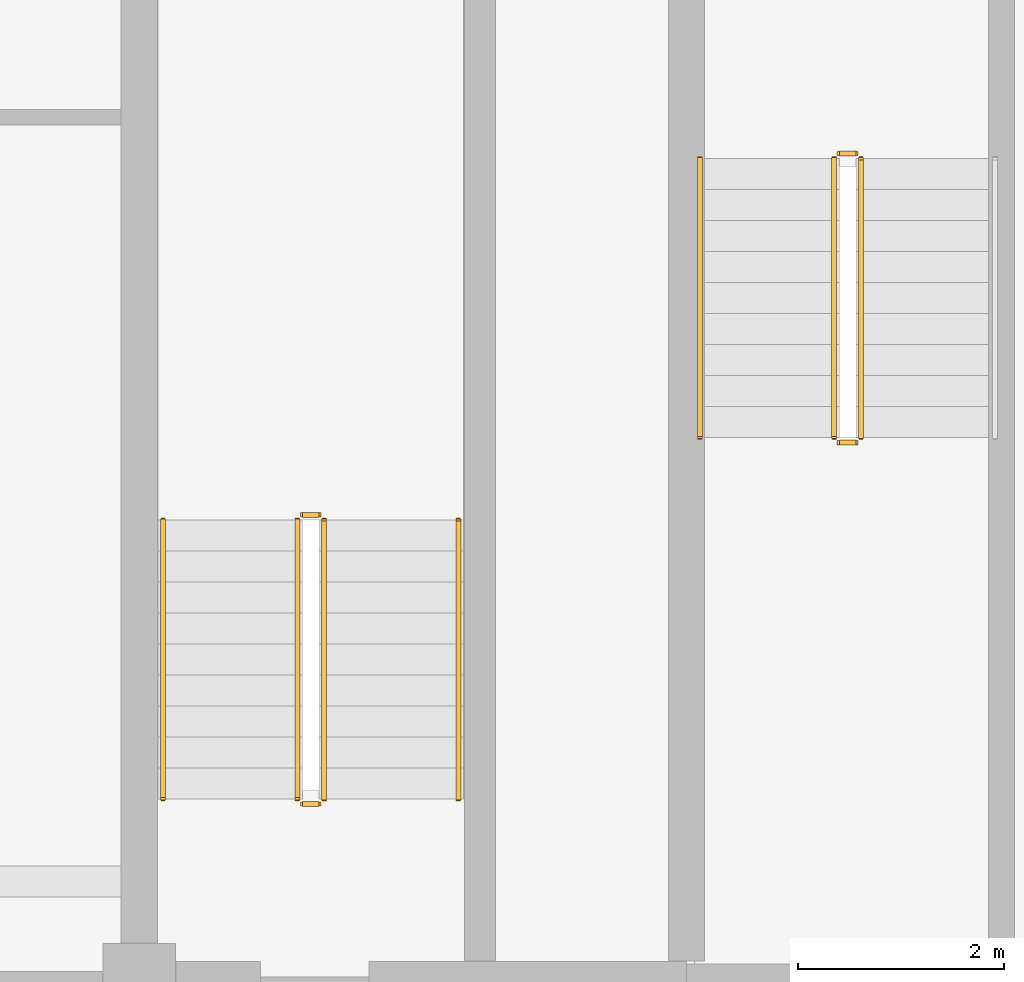
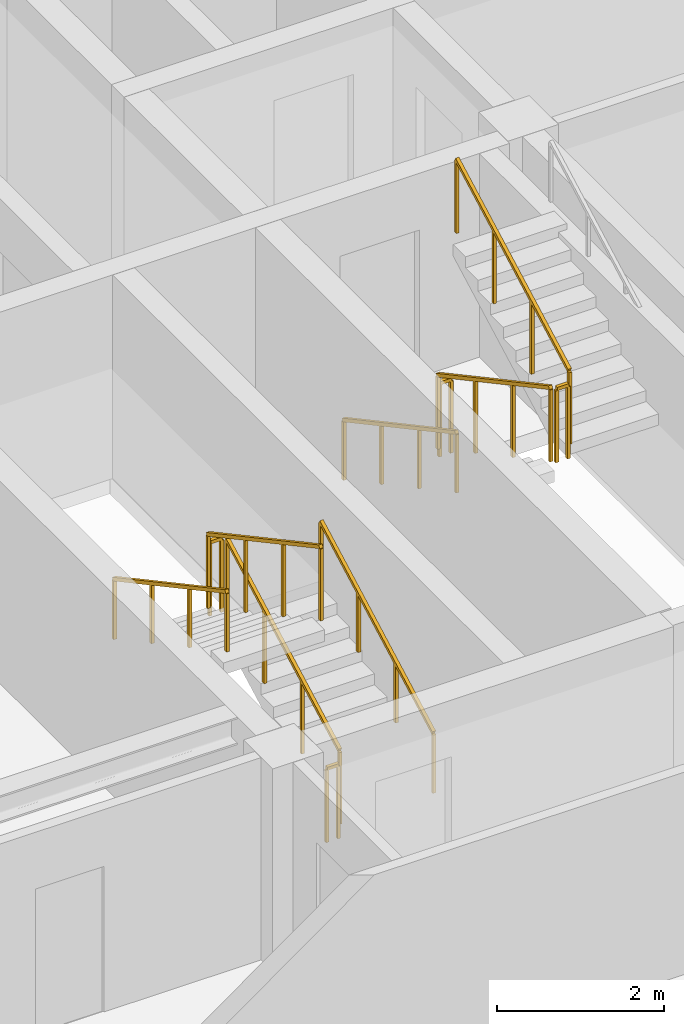
# One storey, part 8 of 11: 11 railings.
"""IFC4 building model written with IfcOpenShell, lengths in metres."""

from ifc_helpers import new_model, si_unit, direction, frame, origin, origin_2d, place, context, subcontext, project, spatial, rectangle, extrude, material, type_object, element, save


model = new_model("IFC4")

# Units and contexts
model_context = context("Model", 3, precision=1e-05, world=origin(), true_north=direction((0.0, 1.0)))
body_context = subcontext(model_context, "Body", "Model", "MODEL_VIEW")
ifc_project = project(units=[si_unit("LENGTHUNIT", "METRE"), si_unit("AREAUNIT", "SQUARE_METRE"), si_unit("VOLUMEUNIT", "CUBIC_METRE"), si_unit("PLANEANGLEUNIT", "RADIAN"), si_unit("MASSUNIT", "GRAM", prefix="KILO")], contexts=[model_context])

# Site, building, storey
site_placement = place(None, origin())
site = spatial("IfcSite", under=ifc_project, at=site_placement, CompositionType="ELEMENT")
building_placement = place(site_placement, origin())
building = spatial("IfcBuilding", under=site, at=building_placement, Name="Zulmaris Gate Convention Tower", CompositionType="ELEMENT")
storey_placement = place(building_placement, frame((0.0, 0.0, 257.659912109375)))
storey = spatial("IfcBuildingStorey", under=building, at=storey_placement, Name="L68", CompositionType="ELEMENT", Elevation=257.659912109375)

# Railings
ifc_material_1 = material(Name="Painted Galvanised Steel", Category="steel")
railing_type_1 = type_object("IfcRailingType", Name="RL-STG-1150", PredefinedType="GUARDRAIL", material=ifc_material_1)
railing_1_placement = place(storey_placement, frame((-13.27001953125, -2.0, 0.161376953125)))
element("IfcRailing", 1, at=railing_1_placement, inside=storey, type_object=railing_type_1, Name="L68 ST-1 stair guard 1", PredefinedType="GUARDRAIL", context=body_context, shape_type="SweptSolid", body=[
    extrude(rectangle(XDim=0.048095703125, YDim=0.048095703125, at=origin_2d()), frame((0.0, 0.0, 1.076171875), z_axis=(0.0, -0.880499220447, 0.474047595492), x_axis=(1.0, 0.0, 0.0)), (0.0, 0.0, 1.0), 3.06640625),
    extrude(rectangle(XDim=0.0419921875, YDim=0.0419921875, at=origin_2d()), origin(), (0.0, 0.0, 1.0), 1.052001953125),
    extrude(rectangle(XDim=0.0419921875, YDim=0.0419921875, at=origin_2d()), frame((0.0, -0.89990234375, 0.484619140625)), (0.0, 0.0, 1.0), 1.052001953125),
    extrude(rectangle(XDim=0.0419921875, YDim=0.0419921875, at=origin_2d()), frame((0.0, -1.800048828125, 0.968994140625)), (0.0, 0.0, 1.0), 1.052001953125),
    extrude(rectangle(XDim=0.0419921875, YDim=0.0419921875, at=origin_2d()), frame((0.0, -2.699951171875, 1.45361328125)), (0.0, 0.0, 1.0), 1.052001953125),
])
railing_2_placement = place(storey_placement, frame((-13.219970703125, -4.75, 1.614990234375)))
element("IfcRailing", 2, at=railing_2_placement, inside=storey, type_object=railing_type_1, Name="L68 ST-1 stair guard 2", PredefinedType="GUARDRAIL", context=body_context, shape_type="SweptSolid", body=[
    extrude(rectangle(XDim=0.048095703125, YDim=0.048095703125, at=origin_2d()), frame((0.0, 0.0, 1.076171875), z_axis=(1.0, 0.0, 0.0), x_axis=(0.0, 1.0, 0.0)), (0.0, 0.0, 1.0), 0.159912109375),
    extrude(rectangle(XDim=0.0419921875, YDim=0.0419921875, at=origin_2d()), origin(), (0.0, 0.0, 1.0), 1.052001953125),
    extrude(rectangle(XDim=0.0419921875, YDim=0.0419921875, at=origin_2d()), frame((0.159912109375, 0.0, 0.0)), (0.0, 0.0, 1.0), 1.052001953125),
])
railing_3_placement = place(storey_placement, frame((-13.010009765625, -4.699951171875, 1.7763671875)))
element("IfcRailing", 3, at=railing_3_placement, inside=storey, type_object=railing_type_1, Name="L68 ST-1 stair guard 3", PredefinedType="GUARDRAIL", context=body_context, shape_type="SweptSolid", body=[
    extrude(rectangle(XDim=0.048095703125, YDim=0.048095703125, at=origin_2d()), frame((0.0, 0.0, 1.076171875), z_axis=(0.0, 0.880499220447, 0.474047595492), x_axis=(-1.0, 0.0, 0.0)), (0.0, 0.0, 1.0), 3.06640625),
    extrude(rectangle(XDim=0.0419921875, YDim=0.0419921875, at=origin_2d()), origin(), (0.0, 0.0, 1.0), 1.052001953125),
    extrude(rectangle(XDim=0.0419921875, YDim=0.0419921875, at=origin_2d()), frame((0.0, 0.89990234375, 0.484619140625)), (0.0, 0.0, 1.0), 1.052001953125),
    extrude(rectangle(XDim=0.0419921875, YDim=0.0419921875, at=origin_2d()), frame((0.0, 1.800048828125, 0.968994140625)), (0.0, 0.0, 1.0), 1.052001953125),
    extrude(rectangle(XDim=0.0419921875, YDim=0.0419921875, at=origin_2d()), frame((0.0, 2.699951171875, 1.45361328125)), (0.0, 0.0, 1.0), 1.052001953125),
])
railing_4_placement = place(storey_placement, frame((-13.219970703125, -1.949951171875, 0.0)))
element("IfcRailing", 4, at=railing_4_placement, inside=storey, type_object=railing_type_1, Name="L68 ST-1 stair guard 4", PredefinedType="GUARDRAIL", context=body_context, shape_type="SweptSolid", body=[
    extrude(rectangle(XDim=0.048095703125, YDim=0.048095703125, at=origin_2d()), frame((0.0, 0.0, 1.076171875), z_axis=(1.0, 0.0, 0.0), x_axis=(0.0, 1.0, 0.0)), (0.0, 0.0, 1.0), 0.159912109375),
    extrude(rectangle(XDim=0.0419921875, YDim=0.0419921875, at=origin_2d()), origin(), (0.0, 0.0, 1.0), 1.052001953125),
    extrude(rectangle(XDim=0.0419921875, YDim=0.0419921875, at=origin_2d()), frame((0.159912109375, 0.0, 0.0)), (0.0, 0.0, 1.0), 1.052001953125),
])
railing_5_placement = place(storey_placement, frame((-18.2099609375, -8.199951171875, 0.161376953125)))
element("IfcRailing", 5, at=railing_5_placement, inside=storey, type_object=railing_type_1, Name="L68 ST-3 stair guard 1", PredefinedType="GUARDRAIL", context=body_context, shape_type="SweptSolid", body=[
    extrude(rectangle(XDim=0.048095703125, YDim=0.048095703125, at=origin_2d()), frame((0.0, 0.0, 1.076171875), z_axis=(0.0, 0.880499220447, 0.474047595492), x_axis=(-1.0, 0.0, 0.0)), (0.0, 0.0, 1.0), 3.06640625),
    extrude(rectangle(XDim=0.0419921875, YDim=0.0419921875, at=origin_2d()), origin(), (0.0, 0.0, 1.0), 1.052001953125),
    extrude(rectangle(XDim=0.0419921875, YDim=0.0419921875, at=origin_2d()), frame((0.0, 0.89990234375, 0.484619140625)), (0.0, 0.0, 1.0), 1.052001953125),
    extrude(rectangle(XDim=0.0419921875, YDim=0.0419921875, at=origin_2d()), frame((0.0, 1.800048828125, 0.968994140625)), (0.0, 0.0, 1.0), 1.052001953125),
    extrude(rectangle(XDim=0.0419921875, YDim=0.0419921875, at=origin_2d()), frame((0.0, 2.699951171875, 1.45361328125)), (0.0, 0.0, 1.0), 1.052001953125),
])
railing_6_placement = place(storey_placement, frame((-18.260009765625, -5.449951171875, 1.614990234375)))
element("IfcRailing", 6, at=railing_6_placement, inside=storey, type_object=railing_type_1, Name="L68 ST-3 stair guard 2", PredefinedType="GUARDRAIL", context=body_context, shape_type="SweptSolid", body=[
    extrude(rectangle(XDim=0.048095703125, YDim=0.048095703125, at=origin_2d()), frame((0.0, 0.0, 1.076171875), z_axis=(-1.0, 0.0, 0.0), x_axis=(0.0, -1.0, 0.0)), (0.0, 0.0, 1.0), 0.159912109375),
    extrude(rectangle(XDim=0.0419921875, YDim=0.0419921875, at=origin_2d()), origin(), (0.0, 0.0, 1.0), 1.052001953125),
    extrude(rectangle(XDim=0.0419921875, YDim=0.0419921875, at=origin_2d()), frame((-0.159912109375, 0.0, 0.0)), (0.0, 0.0, 1.0), 1.052001953125),
])
railing_7_placement = place(storey_placement, frame((-18.469970703125, -5.5, 1.7763671875)))
element("IfcRailing", 7, at=railing_7_placement, inside=storey, type_object=railing_type_1, Name="L68 ST-3 stair guard 3", PredefinedType="GUARDRAIL", context=body_context, shape_type="SweptSolid", body=[
    extrude(rectangle(XDim=0.048095703125, YDim=0.048095703125, at=origin_2d()), frame((0.0, 0.0, 1.076171875), z_axis=(0.0, -0.880499220447, 0.474047595492), x_axis=(1.0, 0.0, 0.0)), (0.0, 0.0, 1.0), 3.06640625),
    extrude(rectangle(XDim=0.0419921875, YDim=0.0419921875, at=origin_2d()), origin(), (0.0, 0.0, 1.0), 1.052001953125),
    extrude(rectangle(XDim=0.0419921875, YDim=0.0419921875, at=origin_2d()), frame((0.0, -0.89990234375, 0.484619140625)), (0.0, 0.0, 1.0), 1.052001953125),
    extrude(rectangle(XDim=0.0419921875, YDim=0.0419921875, at=origin_2d()), frame((0.0, -1.800048828125, 0.968994140625)), (0.0, 0.0, 1.0), 1.052001953125),
    extrude(rectangle(XDim=0.0419921875, YDim=0.0419921875, at=origin_2d()), frame((0.0, -2.699951171875, 1.45361328125)), (0.0, 0.0, 1.0), 1.052001953125),
])
railing_8_placement = place(storey_placement, frame((-18.260009765625, -8.25, 0.0)))
element("IfcRailing", 8, at=railing_8_placement, inside=storey, type_object=railing_type_1, Name="L68 ST-3 stair guard 4", PredefinedType="GUARDRAIL", context=body_context, shape_type="SweptSolid", body=[
    extrude(rectangle(XDim=0.048095703125, YDim=0.048095703125, at=origin_2d()), frame((0.0, 0.0, 1.076171875), z_axis=(-1.0, 0.0, 0.0), x_axis=(0.0, -1.0, 0.0)), (0.0, 0.0, 1.0), 0.159912109375),
    extrude(rectangle(XDim=0.0419921875, YDim=0.0419921875, at=origin_2d()), origin(), (0.0, 0.0, 1.0), 1.052001953125),
    extrude(rectangle(XDim=0.0419921875, YDim=0.0419921875, at=origin_2d()), frame((-0.159912109375, 0.0, 0.0)), (0.0, 0.0, 1.0), 1.052001953125),
])
ifc_material_2 = material(Name="Brushed Stainless Steel", Category="steel")
railing_type_2 = type_object("IfcRailingType", Name="RL-STH-900", PredefinedType="HANDRAIL", material=ifc_material_2)
railing_9_placement = place(storey_placement, frame((-14.570068359375, -2.0, 0.161376953125)))
element("IfcRailing", 9, at=railing_9_placement, inside=storey, type_object=railing_type_2, Name="L68 ST-1 stair handrail 1", PredefinedType="HANDRAIL", context=body_context, shape_type="SweptSolid", body=[
    extrude(rectangle(XDim=0.048095703125, YDim=0.048095703125, at=origin_2d()), frame((0.0, 0.0, 0.8759765625), z_axis=(0.0, -0.880499220447, 0.474047595492), x_axis=(1.0, 0.0, 0.0)), (0.0, 0.0, 1.0), 3.06640625),
    extrude(rectangle(XDim=0.0419921875, YDim=0.0419921875, at=origin_2d()), origin(), (0.0, 0.0, 1.0), 0.851806640625),
    extrude(rectangle(XDim=0.0419921875, YDim=0.0419921875, at=origin_2d()), frame((0.0, -0.89990234375, 0.484619140625)), (0.0, 0.0, 1.0), 0.851806640625),
    extrude(rectangle(XDim=0.0419921875, YDim=0.0419921875, at=origin_2d()), frame((0.0, -1.800048828125, 0.968994140625)), (0.0, 0.0, 1.0), 0.851806640625),
    extrude(rectangle(XDim=0.0419921875, YDim=0.0419921875, at=origin_2d()), frame((0.0, -2.699951171875, 1.45361328125)), (0.0, 0.0, 1.0), 0.851806640625),
])
railing_10_placement = place(storey_placement, frame((-16.909912109375, -8.199951171875, 0.161376953125)))
element("IfcRailing", 10, at=railing_10_placement, inside=storey, type_object=railing_type_2, Name="L68 ST-3 stair handrail 1", PredefinedType="HANDRAIL", context=body_context, shape_type="SweptSolid", body=[
    extrude(rectangle(XDim=0.048095703125, YDim=0.048095703125, at=origin_2d()), frame((0.0, 0.0, 0.8759765625), z_axis=(0.0, 0.880499220447, 0.474047595492), x_axis=(-1.0, 0.0, 0.0)), (0.0, 0.0, 1.0), 3.06640625),
    extrude(rectangle(XDim=0.0419921875, YDim=0.0419921875, at=origin_2d()), origin(), (0.0, 0.0, 1.0), 0.851806640625),
    extrude(rectangle(XDim=0.0419921875, YDim=0.0419921875, at=origin_2d()), frame((0.0, 0.89990234375, 0.484619140625)), (0.0, 0.0, 1.0), 0.851806640625),
    extrude(rectangle(XDim=0.0419921875, YDim=0.0419921875, at=origin_2d()), frame((0.0, 1.800048828125, 0.968994140625)), (0.0, 0.0, 1.0), 0.851806640625),
    extrude(rectangle(XDim=0.0419921875, YDim=0.0419921875, at=origin_2d()), frame((0.0, 2.699951171875, 1.45361328125)), (0.0, 0.0, 1.0), 0.851806640625),
])
railing_11_placement = place(storey_placement, frame((-19.77001953125, -5.5, 1.7763671875)))
element("IfcRailing", 11, at=railing_11_placement, inside=storey, type_object=railing_type_2, Name="L68 ST-3 stair handrail 2", PredefinedType="HANDRAIL", context=body_context, shape_type="SweptSolid", body=[
    extrude(rectangle(XDim=0.048095703125, YDim=0.048095703125, at=origin_2d()), frame((0.0, 0.0, 0.8759765625), z_axis=(0.0, -0.880499220447, 0.474047595492), x_axis=(1.0, 0.0, 0.0)), (0.0, 0.0, 1.0), 3.06640625),
    extrude(rectangle(XDim=0.0419921875, YDim=0.0419921875, at=origin_2d()), origin(), (0.0, 0.0, 1.0), 0.851806640625),
    extrude(rectangle(XDim=0.0419921875, YDim=0.0419921875, at=origin_2d()), frame((0.0, -0.89990234375, 0.484619140625)), (0.0, 0.0, 1.0), 0.851806640625),
    extrude(rectangle(XDim=0.0419921875, YDim=0.0419921875, at=origin_2d()), frame((0.0, -1.800048828125, 0.968994140625)), (0.0, 0.0, 1.0), 0.851806640625),
    extrude(rectangle(XDim=0.0419921875, YDim=0.0419921875, at=origin_2d()), frame((0.0, -2.699951171875, 1.45361328125)), (0.0, 0.0, 1.0), 0.851806640625),
])

save(model, "model.ifc")
